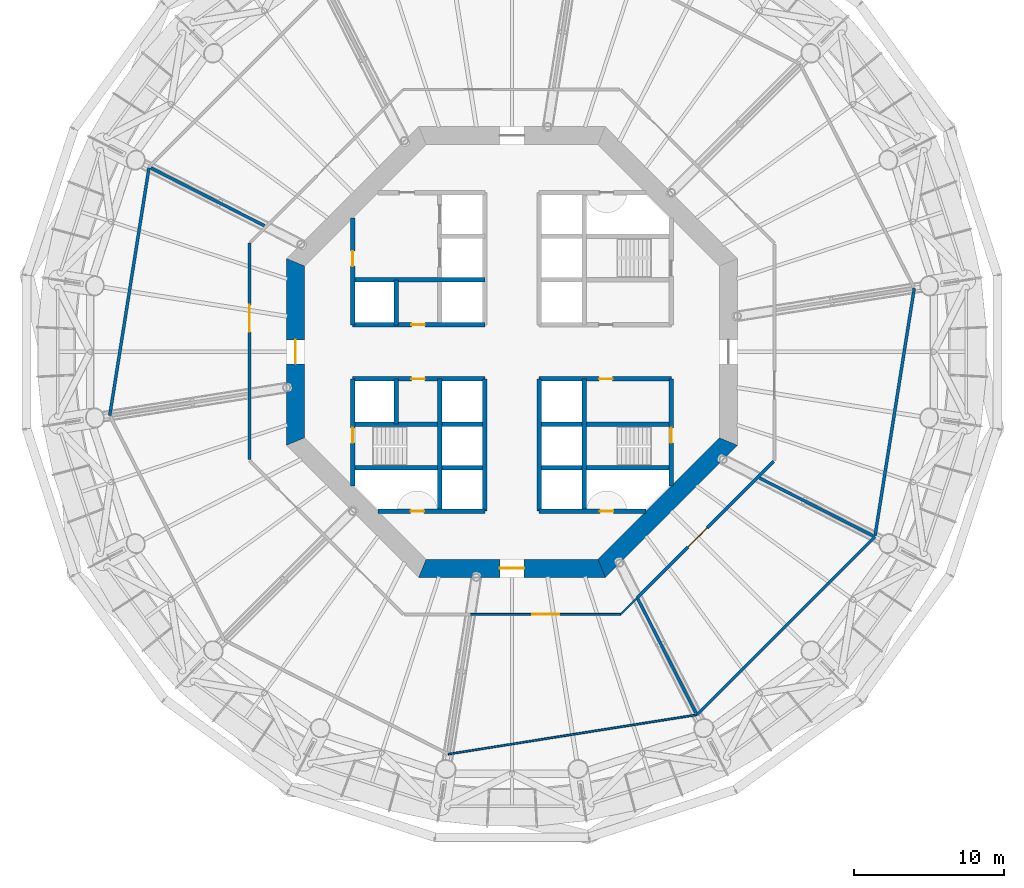
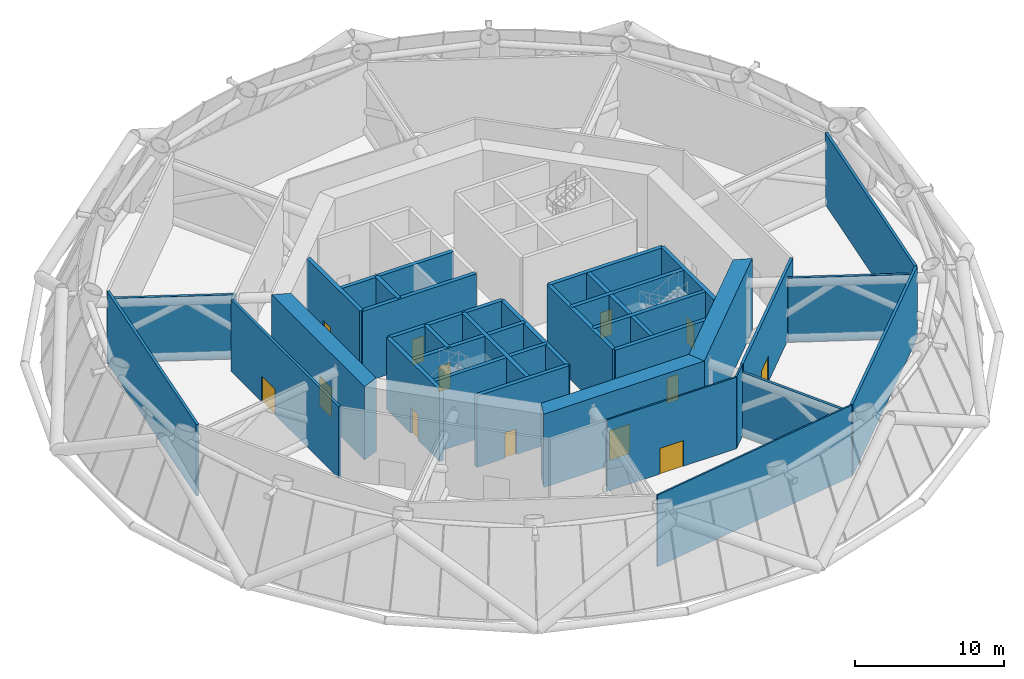
# One storey, part 8 of 18: 33 walls, 13 doors, 13 openings.
"""IFC4 building model written with IfcOpenShell, lengths in metres."""

from ifc_helpers import new_model, si_unit, direction, frame, frame_2d, origin, place, context, subcontext, project, spatial, polyline, rectangle, outline, extrude, material, layer, layer_set, type_object, element, fill, save


model = new_model("IFC4")

# Units and contexts
model_context = context("Model", 3, precision=1e-05, world=origin(), true_north=direction((0.0, 1.0)))
body_context = subcontext(model_context, "Body", "Model", "MODEL_VIEW")
ifc_project = project(units=[si_unit("LENGTHUNIT", "METRE"), si_unit("AREAUNIT", "SQUARE_METRE"), si_unit("VOLUMEUNIT", "CUBIC_METRE"), si_unit("PLANEANGLEUNIT", "RADIAN"), si_unit("MASSUNIT", "GRAM", prefix="KILO")], contexts=[model_context])

# Site, building, storey
site_placement = place(None, origin())
site = spatial("IfcSite", under=ifc_project, at=site_placement, CompositionType="ELEMENT")
building_placement = place(site_placement, origin())
building = spatial("IfcBuilding", under=site, at=building_placement, Name="Entoto Ring Tower", CompositionType="ELEMENT")
storey_placement = place(building_placement, frame((0.0, 0.0, 138.0)))
storey = spatial("IfcBuildingStorey", under=building, at=storey_placement, Name="L31", CompositionType="ELEMENT", Elevation=138.0)

# Wall, opening, door
ifc_material_1 = material(Name="Concrete C40/50", Category="concrete")
ifc_layer_1 = layer(ifc_material_1, 0.300048828125)
ifc_layer_set_1 = layer_set([ifc_layer_1], Name="Concrete C40/50")
wall_type_1 = type_object("IfcWallType", Name="Core enclosure wall 300 mm reinforced concrete", PredefinedType="SOLIDWALL", material=ifc_layer_set_1)
wall_1_placement = place(storey_placement, frame((100.60009765625, 71.083984375, 0.0), z_axis=(0.0, 0.0, 1.0), x_axis=(0.0, 1.0, 0.0)))
wall_1 = element("IfcWall", 1, at=wall_1_placement, inside=storey, type_object=wall_type_1, Name="wall-L31-001", PredefinedType="SOLIDWALL", context=body_context, shape_type="SweptSolid", body=[
    extrude(rectangle(XDim=7.115966796875, YDim=0.300048828125, at=frame_2d((3.55810546875, 0.0))), origin(), (0.0, 0.0, 1.0), 5.85009765625),
])
opening_1_placement = place(wall_1_placement, frame((2.8662109375, 0.0, 0.0)))
opening_1 = element("IfcOpeningElement", 2, at=opening_1_placement, cuts=wall_1, Name="Opening K-43", PredefinedType="OPENING", context=body_context, shape_type="SweptSolid", body=[
    extrude(rectangle(XDim=1.0, YDim=2.10009765625, at=frame_2d((0.5, 1.050048828125))), frame((0.0, 0.16015625, 0.0), z_axis=(0.0, -1.0, 0.0), x_axis=(1.0, 0.0, 0.0)), (0.0, 0.0, 1.0), 0.320068359375),
])
ifc_material_2 = material(Name="Steel door leaf, fire rated", Category="steel")
ifc_layer_2 = layer(ifc_material_2, 0.050048828125)
ifc_layer_set_2 = layer_set([ifc_layer_2], Name="Steel door leaf, fire rated")
door_type_1 = type_object("IfcDoorType", Name="Fire door FD60 1000 x 2100 single leaf", OperationType="NOTDEFINED", PredefinedType="DOOR", material=ifc_layer_set_2)
door_1_placement = place(opening_1_placement, origin())
door_1 = element("IfcDoor", 3, at=door_1_placement, inside=storey, type_object=door_type_1, Name="Door K-43", OperationType="SINGLE_SWING_RIGHT", OverallHeight=2.10009765625, OverallWidth=1.0, PredefinedType="DOOR", context=body_context, shape_type="SweptSolid", body=[
    extrude(rectangle(XDim=1.0, YDim=2.10009765625, at=frame_2d((0.5, 1.050048828125))), frame((0.0, 0.02490234375, 0.0), z_axis=(0.0, -1.0, 0.0), x_axis=(1.0, 0.0, 0.0)), (0.0, 0.0, 1.0), 0.050048828125),
])
fill(opening_1, door_1)

# Walls
for number, where, z_axis, x_axis, name in (
    (4, (94.800048828125, 69.39990234375, 0.0), (0.0, 0.0, 1.0), (0.0, 1.0, 0.0), "wall-L31-003"),
    (5, (91.800048828125, 69.39990234375, 0.0), (0.0, 0.0, 1.0), (0.0, 1.0, 0.0), "wall-L31-005"),
    (6, (88.199951171875, 69.39990234375, 0.0), (0.0, 0.0, 1.0), (0.0, 1.0, 0.0), "wall-L31-007"),
    (7, (85.199951171875, 69.39990234375, 0.0), (0.0, 0.0, 1.0), (0.0, 1.0, 0.0), "wall-L31-009"),
):
    element("IfcWall", number, at=place(storey_placement, frame(where, z_axis=z_axis, x_axis=x_axis)), inside=storey, type_object=wall_type_1, Name=name, PredefinedType="SOLIDWALL", context=body_context, shape_type="SweptSolid", body=[
        extrude(rectangle(XDim=8.800048828125, YDim=0.300048828125, at=frame_2d((4.39990234375, 0.0))), origin(), (0.0, 0.0, 1.0), 5.85009765625),
    ])
for number, where, z_axis, x_axis, name in (
    (8, (82.300048828125, 75.199951171875, 0.0), (0.0, 0.0, 1.0), (0.0, 1.0, 0.0), "wall-L31-011"),
    (9, (82.300048828125, 81.800048828125, 0.0), (0.0, 0.0, 1.0), (0.0, 1.0, 0.0), "wall-L31-012"),
):
    element("IfcWall", number, at=place(storey_placement, frame(where, z_axis=z_axis, x_axis=x_axis)), inside=storey, type_object=wall_type_1, Name=name, PredefinedType="SOLIDWALL", context=body_context, shape_type="SweptSolid", body=[
        extrude(rectangle(XDim=3.0, YDim=0.300048828125, at=frame_2d((1.5, 0.0))), origin(), (0.0, 0.0, 1.0), 5.85009765625),
    ])

# Wall, opening, door
wall_2_placement = place(storey_placement, frame((79.39990234375, 71.083984375, 0.0), z_axis=(0.0, 0.0, 1.0), x_axis=(0.0, 1.0, 0.0)))
wall_2 = element("IfcWall", 10, at=wall_2_placement, inside=storey, type_object=wall_type_1, Name="wall-L31-013", PredefinedType="SOLIDWALL", context=body_context, shape_type="SweptSolid", body=[
    extrude(rectangle(XDim=7.115966796875, YDim=0.300048828125, at=frame_2d((3.55810546875, 0.0))), origin(), (0.0, 0.0, 1.0), 5.85009765625),
])
opening_2_placement = place(wall_2_placement, frame((2.8662109375, 0.0, 0.0)))
opening_2 = element("IfcOpeningElement", 11, at=opening_2_placement, cuts=wall_2, Name="Opening K-42", PredefinedType="OPENING", context=body_context, shape_type="SweptSolid", body=[
    extrude(rectangle(XDim=1.0, YDim=2.10009765625, at=frame_2d((0.5, 1.050048828125))), frame((0.0, 0.16015625, 0.0), z_axis=(0.0, -1.0, 0.0), x_axis=(1.0, 0.0, 0.0)), (0.0, 0.0, 1.0), 0.320068359375),
])
door_2_placement = place(opening_2_placement, frame((1.0, 0.0, 0.0), z_axis=(0.0, 0.0, 1.0), x_axis=(-1.0, 0.0, 0.0)))
door_2 = element("IfcDoor", 12, at=door_2_placement, inside=storey, type_object=door_type_1, Name="Door K-42", OperationType="SINGLE_SWING_LEFT", OverallHeight=2.10009765625, OverallWidth=1.0, PredefinedType="DOOR", context=body_context, shape_type="SweptSolid", body=[
    extrude(rectangle(XDim=1.0, YDim=2.10009765625, at=frame_2d((0.5, 1.050048828125))), frame((0.0, 0.02490234375, 0.0), z_axis=(0.0, -1.0, 0.0), x_axis=(1.0, 0.0, 0.0)), (0.0, 0.0, 1.0), 0.050048828125),
])
fill(opening_2, door_2)

wall_3_placement = place(storey_placement, frame((79.39990234375, 81.800048828125, 0.0), z_axis=(0.0, 0.0, 1.0), x_axis=(0.0, 1.0, 0.0)))
wall_3 = element("IfcWall", 13, at=wall_3_placement, inside=storey, type_object=wall_type_1, Name="wall-L31-014", PredefinedType="SOLIDWALL", context=body_context, shape_type="SweptSolid", body=[
    extrude(rectangle(XDim=7.115966796875, YDim=0.300048828125, at=frame_2d((3.55810546875, 0.0))), origin(), (0.0, 0.0, 1.0), 5.85009765625),
])
opening_3_placement = place(wall_3_placement, frame((3.89990234375, 0.0, 0.0)))
opening_3 = element("IfcOpeningElement", 14, at=opening_3_placement, cuts=wall_3, Name="Opening K-52", PredefinedType="OPENING", context=body_context, shape_type="SweptSolid", body=[
    extrude(rectangle(XDim=1.0, YDim=2.10009765625, at=frame_2d((0.5, 1.050048828125))), frame((0.0, 0.16015625, 0.0), z_axis=(0.0, -1.0, 0.0), x_axis=(1.0, 0.0, 0.0)), (0.0, 0.0, 1.0), 0.320068359375),
])
door_3_placement = place(opening_3_placement, frame((1.0, 0.0, 0.0), z_axis=(0.0, 0.0, 1.0), x_axis=(-1.0, 0.0, 0.0)))
door_3 = element("IfcDoor", 15, at=door_3_placement, inside=storey, type_object=door_type_1, Name="Door K-52", OperationType="SINGLE_SWING_LEFT", OverallHeight=2.10009765625, OverallWidth=1.0, PredefinedType="DOOR", context=body_context, shape_type="SweptSolid", body=[
    extrude(rectangle(XDim=1.0, YDim=2.10009765625, at=frame_2d((0.5, 1.050048828125))), frame((0.0, 0.02490234375, 0.0), z_axis=(0.0, -1.0, 0.0), x_axis=(1.0, 0.0, 0.0)), (0.0, 0.0, 1.0), 0.050048828125),
])
fill(opening_3, door_3)

wall_4_placement = place(storey_placement, frame((81.083984375, 69.39990234375, 0.0), z_axis=(0.0, 0.0, 1.0), x_axis=(1.0, 0.0, 0.0)))
wall_4 = element("IfcWall", 16, at=wall_4_placement, inside=storey, type_object=wall_type_1, Name="wall-L31-015", PredefinedType="SOLIDWALL", context=body_context, shape_type="SweptSolid", body=[
    extrude(rectangle(XDim=7.115966796875, YDim=0.300048828125, at=frame_2d((3.55810546875, 0.0))), origin(), (0.0, 0.0, 1.0), 5.85009765625),
])
opening_4_placement = place(wall_4_placement, frame((2.166015625, 0.0, 0.0)))
opening_4 = element("IfcOpeningElement", 17, at=opening_4_placement, cuts=wall_4, Name="Opening K-48", PredefinedType="OPENING", context=body_context, shape_type="SweptSolid", body=[
    extrude(rectangle(XDim=0.89990234375, YDim=2.10009765625, at=frame_2d((0.449951171875, 1.050048828125))), frame((0.0, 0.16015625, 0.0), z_axis=(0.0, -1.0, 0.0), x_axis=(1.0, 0.0, 0.0)), (0.0, 0.0, 1.0), 0.320068359375),
])
ifc_material_3 = material(Name="Steel door leaf, fire rated", Category="steel")
ifc_layer_3 = layer(ifc_material_3, 0.050048828125)
ifc_layer_set_3 = layer_set([ifc_layer_3], Name="Steel door leaf, fire rated")
door_type_2 = type_object("IfcDoorType", Name="Riser door FD60 900 x 2100 single leaf", OperationType="NOTDEFINED", PredefinedType="DOOR", material=ifc_layer_set_3)
door_4_placement = place(opening_4_placement, origin())
door_4 = element("IfcDoor", 18, at=door_4_placement, inside=storey, type_object=door_type_2, Name="Door K-48", OperationType="SINGLE_SWING_RIGHT", OverallHeight=2.10009765625, OverallWidth=0.89990234375, PredefinedType="DOOR", context=body_context, shape_type="SweptSolid", body=[
    extrude(rectangle(XDim=0.89990234375, YDim=2.10009765625, at=frame_2d((0.449951171875, 1.050048828125))), frame((0.0, 0.02490234375, 0.0), z_axis=(0.0, -1.0, 0.0), x_axis=(1.0, 0.0, 0.0)), (0.0, 0.0, 1.0), 0.050048828125),
])
fill(opening_4, door_4)

wall_5_placement = place(storey_placement, frame((91.800048828125, 69.39990234375, 0.0), z_axis=(0.0, 0.0, 1.0), x_axis=(1.0, 0.0, 0.0)))
wall_5 = element("IfcWall", 19, at=wall_5_placement, inside=storey, type_object=wall_type_1, Name="wall-L31-016", PredefinedType="SOLIDWALL", context=body_context, shape_type="SweptSolid", body=[
    extrude(rectangle(XDim=7.115966796875, YDim=0.300048828125, at=frame_2d((3.55810546875, 0.0))), origin(), (0.0, 0.0, 1.0), 5.85009765625),
])
opening_5_placement = place(wall_5_placement, frame((4.050048828125, 0.0, 0.0)))
opening_5 = element("IfcOpeningElement", 20, at=opening_5_placement, cuts=wall_5, Name="Opening K-49", PredefinedType="OPENING", context=body_context, shape_type="SweptSolid", body=[
    extrude(rectangle(XDim=0.89990234375, YDim=2.10009765625, at=frame_2d((0.449951171875, 1.050048828125))), frame((0.0, 0.16015625, 0.0), z_axis=(0.0, -1.0, 0.0), x_axis=(1.0, 0.0, 0.0)), (0.0, 0.0, 1.0), 0.320068359375),
])
door_5_placement = place(opening_5_placement, origin())
door_5 = element("IfcDoor", 21, at=door_5_placement, inside=storey, type_object=door_type_2, Name="Door K-49", OperationType="SINGLE_SWING_LEFT", OverallHeight=2.10009765625, OverallWidth=0.89990234375, PredefinedType="DOOR", context=body_context, shape_type="SweptSolid", body=[
    extrude(rectangle(XDim=0.89990234375, YDim=2.10009765625, at=frame_2d((0.449951171875, 1.050048828125))), frame((0.0, 0.02490234375, 0.0), z_axis=(0.0, -1.0, 0.0), x_axis=(1.0, 0.0, 0.0)), (0.0, 0.0, 1.0), 0.050048828125),
])
fill(opening_5, door_5)

# Walls
for number, where, z_axis, x_axis, name in (
    (22, (79.39990234375, 72.300048828125, 0.0), (0.0, 0.0, 1.0), (1.0, 0.0, 0.0), "wall-L31-017"),
    (23, (91.800048828125, 72.300048828125, 0.0), (0.0, 0.0, 1.0), (1.0, 0.0, 0.0), "wall-L31-018"),
    (24, (79.39990234375, 75.199951171875, 0.0), (0.0, 0.0, 1.0), (1.0, 0.0, 0.0), "wall-L31-019"),
    (25, (91.800048828125, 75.199951171875, 0.0), (0.0, 0.0, 1.0), (1.0, 0.0, 0.0), "wall-L31-020"),
):
    element("IfcWall", number, at=place(storey_placement, frame(where, z_axis=z_axis, x_axis=x_axis)), inside=storey, type_object=wall_type_1, Name=name, PredefinedType="SOLIDWALL", context=body_context, shape_type="SweptSolid", body=[
        extrude(rectangle(XDim=8.800048828125, YDim=0.300048828125, at=frame_2d((4.39990234375, 0.0))), origin(), (0.0, 0.0, 1.0), 5.85009765625),
    ])

# Wall, opening, door
wall_6_placement = place(storey_placement, frame((79.39990234375, 78.199951171875, 0.0), z_axis=(0.0, 0.0, 1.0), x_axis=(1.0, 0.0, 0.0)))
wall_6 = element("IfcWall", 26, at=wall_6_placement, inside=storey, type_object=wall_type_1, Name="wall-L31-021", PredefinedType="SOLIDWALL", context=body_context, shape_type="SweptSolid", body=[
    extrude(rectangle(XDim=8.800048828125, YDim=0.300048828125, at=frame_2d((4.39990234375, 0.0))), origin(), (0.0, 0.0, 1.0), 5.85009765625),
])
opening_6_placement = place(wall_6_placement, frame((3.89990234375, 0.0, 0.0)))
opening_6 = element("IfcOpeningElement", 27, at=opening_6_placement, cuts=wall_6, Name="Opening K-08", PredefinedType="OPENING", context=body_context, shape_type="SweptSolid", body=[
    extrude(rectangle(XDim=0.89990234375, YDim=2.10009765625, at=frame_2d((0.449951171875, 1.050048828125))), frame((0.0, 0.16015625, 0.0), z_axis=(0.0, -1.0, 0.0), x_axis=(1.0, 0.0, 0.0)), (0.0, 0.0, 1.0), 0.320068359375),
])
ifc_material_4 = material(Name="Steel door leaf, fire rated", Category="steel")
ifc_layer_4 = layer(ifc_material_4, 0.050048828125)
ifc_layer_set_4 = layer_set([ifc_layer_4], Name="Steel door leaf, fire rated")
door_type_3 = type_object("IfcDoorType", Name="Core door 900 x 2100 single leaf", OperationType="NOTDEFINED", PredefinedType="DOOR", material=ifc_layer_set_4)
door_6_placement = place(opening_6_placement, frame((0.89990234375, 0.0, 0.0), z_axis=(0.0, 0.0, 1.0), x_axis=(-1.0, 0.0, 0.0)))
door_6 = element("IfcDoor", 28, at=door_6_placement, inside=storey, type_object=door_type_3, Name="Door K-08", OperationType="SINGLE_SWING_LEFT", OverallHeight=2.10009765625, OverallWidth=0.89990234375, PredefinedType="DOOR", context=body_context, shape_type="SweptSolid", body=[
    extrude(rectangle(XDim=0.89990234375, YDim=2.10009765625, at=frame_2d((0.449951171875, 1.050048828125))), frame((0.0, 0.02490234375, 0.0), z_axis=(0.0, -1.0, 0.0), x_axis=(1.0, 0.0, 0.0)), (0.0, 0.0, 1.0), 0.050048828125),
])
fill(opening_6, door_6)

wall_7_placement = place(storey_placement, frame((91.800048828125, 78.199951171875, 0.0), z_axis=(0.0, 0.0, 1.0), x_axis=(1.0, 0.0, 0.0)))
wall_7 = element("IfcWall", 29, at=wall_7_placement, inside=storey, type_object=wall_type_1, Name="wall-L31-022", PredefinedType="SOLIDWALL", context=body_context, shape_type="SweptSolid", body=[
    extrude(rectangle(XDim=8.800048828125, YDim=0.300048828125, at=frame_2d((4.39990234375, 0.0))), origin(), (0.0, 0.0, 1.0), 5.85009765625),
])
opening_7_placement = place(wall_7_placement, frame((4.0, 0.0, 0.0)))
opening_7 = element("IfcOpeningElement", 30, at=opening_7_placement, cuts=wall_7, Name="Opening K-06", PredefinedType="OPENING", context=body_context, shape_type="SweptSolid", body=[
    extrude(rectangle(XDim=0.89990234375, YDim=2.10009765625, at=frame_2d((0.449951171875, 1.050048828125))), frame((0.0, 0.16015625, 0.0), z_axis=(0.0, -1.0, 0.0), x_axis=(1.0, 0.0, 0.0)), (0.0, 0.0, 1.0), 0.320068359375),
])
door_7_placement = place(opening_7_placement, frame((0.89990234375, 0.0, 0.0), z_axis=(0.0, 0.0, 1.0), x_axis=(-1.0, 0.0, 0.0)))
door_7 = element("IfcDoor", 31, at=door_7_placement, inside=storey, type_object=door_type_3, Name="Door K-06", OperationType="SINGLE_SWING_RIGHT", OverallHeight=2.10009765625, OverallWidth=0.89990234375, PredefinedType="DOOR", context=body_context, shape_type="SweptSolid", body=[
    extrude(rectangle(XDim=0.89990234375, YDim=2.10009765625, at=frame_2d((0.449951171875, 1.050048828125))), frame((0.0, 0.02490234375, 0.0), z_axis=(0.0, -1.0, 0.0), x_axis=(1.0, 0.0, 0.0)), (0.0, 0.0, 1.0), 0.050048828125),
])
fill(opening_7, door_7)

wall_8_placement = place(storey_placement, frame((79.39990234375, 81.800048828125, 0.0), z_axis=(0.0, 0.0, 1.0), x_axis=(1.0, 0.0, 0.0)))
wall_8 = element("IfcWall", 32, at=wall_8_placement, inside=storey, type_object=wall_type_1, Name="wall-L31-023", PredefinedType="SOLIDWALL", context=body_context, shape_type="SweptSolid", body=[
    extrude(rectangle(XDim=8.800048828125, YDim=0.300048828125, at=frame_2d((4.39990234375, 0.0))), origin(), (0.0, 0.0, 1.0), 5.85009765625),
])
opening_8_placement = place(wall_8_placement, frame((3.89990234375, 0.0, 0.0)))
opening_8 = element("IfcOpeningElement", 33, at=opening_8_placement, cuts=wall_8, Name="Opening K-07", PredefinedType="OPENING", context=body_context, shape_type="SweptSolid", body=[
    extrude(rectangle(XDim=0.89990234375, YDim=2.10009765625, at=frame_2d((0.449951171875, 1.050048828125))), frame((0.0, 0.16015625, 0.0), z_axis=(0.0, -1.0, 0.0), x_axis=(1.0, 0.0, 0.0)), (0.0, 0.0, 1.0), 0.320068359375),
])
door_8_placement = place(opening_8_placement, frame((0.89990234375, 0.0, 0.0), z_axis=(0.0, 0.0, 1.0), x_axis=(-1.0, 0.0, 0.0)))
door_8 = element("IfcDoor", 34, at=door_8_placement, inside=storey, type_object=door_type_3, Name="Door K-07", OperationType="SINGLE_SWING_RIGHT", OverallHeight=2.10009765625, OverallWidth=0.89990234375, PredefinedType="DOOR", context=body_context, shape_type="SweptSolid", body=[
    extrude(rectangle(XDim=0.89990234375, YDim=2.10009765625, at=frame_2d((0.449951171875, 1.050048828125))), frame((0.0, 0.02490234375, 0.0), z_axis=(0.0, -1.0, 0.0), x_axis=(1.0, 0.0, 0.0)), (0.0, 0.0, 1.0), 0.050048828125),
])
fill(opening_8, door_8)

# Wall
wall_9_placement = place(storey_placement, frame((79.39990234375, 84.800048828125, 0.0), z_axis=(0.0, 0.0, 1.0), x_axis=(1.0, 0.0, 0.0)))
element("IfcWall", 35, at=wall_9_placement, inside=storey, type_object=wall_type_1, Name="wall-L31-025", PredefinedType="SOLIDWALL", context=body_context, shape_type="SweptSolid", body=[
    extrude(rectangle(XDim=8.800048828125, YDim=0.300048828125, at=frame_2d((4.39990234375, 0.0))), origin(), (0.0, 0.0, 1.0), 5.85009765625),
])

# Wall, opening, door
ifc_material_5 = material(Name="Concrete C60/75", Category="concrete")
ifc_layer_5 = layer(ifc_material_5, 1.199951171875)
ifc_layer_set_5 = layer_set([ifc_layer_5], Name="Concrete C60/75")
wall_type_2 = type_object("IfcWallType", Name="Core shear wall 1200 mm reinforced concrete C60/75", PredefinedType="SHEAR", material=ifc_layer_set_5)
wall_10_placement = place(storey_placement, frame((75.60009765625, 85.964599609375, 0.0), z_axis=(0.0, 0.0, 1.0), x_axis=(0.0, -1.0, 0.0)))
wall_10 = element("IfcWall", 36, at=wall_10_placement, inside=storey, type_object=wall_type_2, Name="wall-L31-core-4", PredefinedType="SHEAR", context=body_context, shape_type="SweptSolid", body=[
    extrude(outline(polyline([(-0.24853515625, -0.60009765625), (12.177734375, -0.60009765625), (11.6806640625, 0.60009765625), (0.24853515625, 0.60009765625), (-0.24853515625, -0.60009765625)])), origin(), (0.0, 0.0, 1.0), 6.0),
])
opening_9_placement = place(wall_10_placement, frame((5.164794921875, 0.0, 0.0)))
opening_9 = element("IfcOpeningElement", 37, at=opening_9_placement, cuts=wall_10, Name="Opening K-03", PredefinedType="OPENING", context=body_context, shape_type="SweptSolid", body=[
    extrude(rectangle(XDim=1.60009765625, YDim=2.39990234375, at=frame_2d((0.800048828125, 1.199951171875))), frame((0.0, 0.60986328125, 0.0), z_axis=(0.0, -1.0, 0.0), x_axis=(1.0, 0.0, 0.0)), (0.0, 0.0, 1.0), 1.219970703125),
])
ifc_material_6 = material(Name="Steel door leaf, fire rated", Category="steel")
ifc_layer_6 = layer(ifc_material_6, 0.050048828125)
ifc_layer_set_6 = layer_set([ifc_layer_6], Name="Steel door leaf, fire rated")
door_type_4 = type_object("IfcDoorType", Name="Entrance door FD60 1600 x 2400 double leaf", OperationType="DOUBLE_DOOR_SINGLE_SWING", PredefinedType="DOOR", material=ifc_layer_set_6)
door_9_placement = place(opening_9_placement, origin())
door_9 = element("IfcDoor", 38, at=door_9_placement, inside=storey, type_object=door_type_4, Name="Entrance door K-03", OperationType="DOUBLE_DOOR_SINGLE_SWING", OverallHeight=2.39990234375, OverallWidth=1.60009765625, PredefinedType="DOOR", context=body_context, shape_type="SweptSolid", body=[
    extrude(rectangle(XDim=1.60009765625, YDim=2.39990234375, at=frame_2d((0.800048828125, 1.199951171875))), frame((0.0, 0.02490234375, 0.0), z_axis=(0.0, -1.0, 0.0), x_axis=(1.0, 0.0, 0.0)), (0.0, 0.0, 1.0), 0.050048828125),
])
fill(opening_9, door_9)

wall_11_placement = place(storey_placement, frame((84.035400390625, 65.60009765625, 0.0), z_axis=(0.0, 0.0, 1.0), x_axis=(1.0, 0.0, 0.0)))
wall_11 = element("IfcWall", 39, at=wall_11_placement, inside=storey, type_object=wall_type_2, Name="wall-L31-core-6", PredefinedType="SHEAR", context=body_context, shape_type="SweptSolid", body=[
    extrude(outline(polyline([(-0.24853515625, -0.60009765625), (12.177734375, -0.60009765625), (11.6806640625, 0.60009765625), (0.24853515625, 0.60009765625), (-0.24853515625, -0.60009765625)])), origin(), (0.0, 0.0, 1.0), 6.0),
])
opening_10_placement = place(wall_11_placement, frame((5.164794921875, 0.0, 0.0)))
opening_10 = element("IfcOpeningElement", 40, at=opening_10_placement, cuts=wall_11, Name="Opening K-04", PredefinedType="OPENING", context=body_context, shape_type="SweptSolid", body=[
    extrude(rectangle(XDim=1.60009765625, YDim=2.39990234375, at=frame_2d((0.800048828125, 1.199951171875))), frame((0.0, 0.60986328125, 0.0), z_axis=(0.0, -1.0, 0.0), x_axis=(1.0, 0.0, 0.0)), (0.0, 0.0, 1.0), 1.219970703125),
])
door_10_placement = place(opening_10_placement, origin())
door_10 = element("IfcDoor", 41, at=door_10_placement, inside=storey, type_object=door_type_4, Name="Entrance door K-04", OperationType="DOUBLE_DOOR_SINGLE_SWING", OverallHeight=2.39990234375, OverallWidth=1.60009765625, PredefinedType="DOOR", context=body_context, shape_type="SweptSolid", body=[
    extrude(rectangle(XDim=1.60009765625, YDim=2.39990234375, at=frame_2d((0.800048828125, 1.199951171875))), frame((0.0, 0.02490234375, 0.0), z_axis=(0.0, -1.0, 0.0), x_axis=(1.0, 0.0, 0.0)), (0.0, 0.0, 1.0), 0.050048828125),
])
fill(opening_10, door_10)

# Walls
wall_12_placement = place(storey_placement, frame((95.964599609375, 65.60009765625, 0.0), z_axis=(0.0, 0.0, 1.0), x_axis=(0.707106781187, 0.707106781187, 0.0)))
element("IfcWall", 42, at=wall_12_placement, inside=storey, type_object=wall_type_2, Name="wall-L31-core-7", PredefinedType="SHEAR", context=body_context, shape_type="SweptSolid", body=[
    extrude(outline(polyline([(-0.24853515625, -0.60009765625), (12.177734375, -0.60009765625), (11.6806640625, 0.60009765625), (0.24853515625, 0.60009765625), (-0.24853515625, -0.60009765625)])), origin(), (0.0, 0.0, 1.0), 6.0),
])
ifc_material_7 = material(Name="Fire-resisting plasterboard on steel studs", Category="steel")
ifc_layer_7 = layer(ifc_material_7, 0.125)
ifc_layer_set_7 = layer_set([ifc_layer_7], Name="Fire-resisting plasterboard on steel studs")
wall_type_3 = type_object("IfcWallType", Name="Corridor wall 125 mm one-hour plasterboard on steel studs", PredefinedType="PARTITIONING", material=ifc_layer_set_7)
wall_13_placement = place(storey_placement, frame((85.7607421875, 53.233642578125, 0.0), z_axis=(0.0, 0.0, 1.0), x_axis=(0.98768756248, 0.156439377784, 0.0)))
element("IfcWall", 43, at=wall_13_placement, inside=storey, type_object=wall_type_3, Name="partition-L31-002", PredefinedType="PARTITIONING", context=body_context, shape_type="SweptSolid", body=[
    extrude(rectangle(XDim=16.74853515625, YDim=0.125, at=frame_2d((8.374267578125, 0.0))), origin(), (0.0, 0.0, 1.0), 5.85009765625),
])

# Wall, opening, door
wall_14_placement = place(storey_placement, frame((87.234130859375, 62.53759765625, 0.0), z_axis=(0.0, 0.0, 1.0), x_axis=(1.0, 0.0, 0.0)))
wall_14 = element("IfcWall", 44, at=wall_14_placement, inside=storey, type_object=wall_type_3, Name="partition-L31-004", PredefinedType="PARTITIONING", context=body_context, shape_type="SweptSolid", body=[
    extrude(rectangle(XDim=9.9990234375, YDim=0.125, at=frame_2d((4.99951171875, 0.0))), origin(), (0.0, 0.0, 1.0), 5.85009765625),
])
opening_11_placement = place(wall_14_placement, frame((4.099365234375, 0.0, 0.0)))
opening_11 = element("IfcOpeningElement", 45, at=opening_11_placement, cuts=wall_14, Name="Opening A14-D08", PredefinedType="OPENING", context=body_context, shape_type="SweptSolid", body=[
    extrude(rectangle(XDim=1.800048828125, YDim=2.10009765625, at=frame_2d((0.89990234375, 1.050048828125))), frame((0.0, 0.072509765625, 0.0), z_axis=(0.0, -1.0, 0.0), x_axis=(1.0, 0.0, 0.0)), (0.0, 0.0, 1.0), 0.14501953125),
])
ifc_material_8 = material(Name="Fire-resisting timber door set", Category="wood")
door_type_5 = type_object("IfcDoorType", Name="Door 1800 x 2100 double leaf FD30S fire door", OperationType="DOUBLE_DOOR_SINGLE_SWING", PredefinedType="DOOR", material=ifc_material_8)
door_11_placement = place(opening_11_placement, frame((1.800048828125, 0.0, 0.0), z_axis=(0.0, 0.0, 1.0), x_axis=(-1.0, 0.0, 0.0)))
door_11 = element("IfcDoor", 46, at=door_11_placement, inside=storey, type_object=door_type_5, Name="Door A14-D08", OperationType="DOUBLE_DOOR_SINGLE_SWING", OverallHeight=2.10009765625, OverallWidth=1.800048828125, PredefinedType="DOOR", context=body_context, shape_type="SweptSolid", body=[
    extrude(rectangle(XDim=1.800048828125, YDim=2.10009765625, at=frame_2d((0.89990234375, 1.050048828125))), frame((0.0, 0.02490234375, 0.0), z_axis=(0.0, -1.0, 0.0), x_axis=(1.0, 0.0, 0.0)), (0.0, 0.0, 1.0), 0.050048828125),
])
fill(opening_11, door_11)

# Walls
wall_15_placement = place(storey_placement, frame((97.264404296875, 62.568603515625, 0.0), z_axis=(0.0, 0.0, 1.0), x_axis=(0.70702621299, 0.707187340204, 0.0)))
element("IfcWall", 47, at=wall_15_placement, inside=storey, type_object=wall_type_3, Name="partition-L31-006", PredefinedType="PARTITIONING", context=body_context, shape_type="SweptSolid", body=[
    extrude(rectangle(XDim=1.51513671875, YDim=0.125, at=frame_2d((0.757568359375, 0.0))), origin(), (0.0, 0.0, 1.0), 5.85009765625),
])
ifc_material_9 = material(Name="Concrete C20/25", Category="concrete")
ifc_layer_8 = layer(ifc_material_9, 0.199951171875)
ifc_layer_set_8 = layer_set([ifc_layer_8], Name="Concrete C20/25")
wall_type_4 = type_object("IfcWallType", Name="Plant room wall 200 mm two-hour concrete", PredefinedType="PARTITIONING", material=ifc_layer_set_8)
wall_16_placement = place(storey_placement, frame((102.328857421875, 55.87939453125, 0.0), z_axis=(0.0, 0.0, 1.0), x_axis=(0.707106781187, 0.707106781187, 0.0)))
element("IfcWall", 48, at=wall_16_placement, inside=storey, type_object=wall_type_4, Name="partition-L31-008", PredefinedType="PARTITIONING", context=body_context, shape_type="SweptSolid", body=[
    extrude(rectangle(XDim=16.71240234375, YDim=0.199951171875, at=frame_2d((8.356201171875, 0.0))), origin(), (0.0, 0.0, 1.0), 5.85009765625),
])
for number, where, z_axis, x_axis, name in (
    (49, (63.233642578125, 75.7607421875, 0.0), (0.0, 0.0, 1.0), (0.156430529467, 0.987688963921, 0.0), "partition-L31-009"),
    (50, (114.155517578125, 67.754638671875, 0.0), (0.0, 0.0, 1.0), (0.156430529467, 0.987688963921, 0.0), "partition-L31-010"),
):
    element("IfcWall", number, at=place(storey_placement, frame(where, z_axis=z_axis, x_axis=x_axis)), inside=storey, type_object=wall_type_4, Name=name, PredefinedType="PARTITIONING", context=body_context, shape_type="SweptSolid", body=[
        extrude(rectangle(XDim=16.690185546875, YDim=0.199951171875, at=frame_2d((8.34521484375, 0.0))), origin(), (0.0, 0.0, 1.0), 5.85009765625),
    ])

# Wall, opening, door
wall_17_placement = place(storey_placement, frame((72.53759765625, 72.83740234375, 0.0), z_axis=(0.0, 0.0, 1.0), x_axis=(0.0, 1.0, 0.0)))
wall_17 = element("IfcWall", 51, at=wall_17_placement, inside=storey, type_object=wall_type_4, Name="partition-L31-017", PredefinedType="PARTITIONING", context=body_context, shape_type="SweptSolid", body=[
    extrude(rectangle(XDim=14.395751953125, YDim=0.199951171875, at=frame_2d((7.19775390625, 0.0))), origin(), (0.0, 0.0, 1.0), 5.85009765625),
])
opening_12_placement = place(wall_17_placement, frame((8.496337890625, 0.0, 0.0)))
opening_12 = element("IfcOpeningElement", 52, at=opening_12_placement, cuts=wall_17, Name="Opening A14-D05", PredefinedType="OPENING", context=body_context, shape_type="SweptSolid", body=[
    extrude(rectangle(XDim=1.800048828125, YDim=2.10009765625, at=frame_2d((0.89990234375, 1.050048828125))), frame((0.0, 0.10986328125, 0.0), z_axis=(0.0, -1.0, 0.0), x_axis=(1.0, 0.0, 0.0)), (0.0, 0.0, 1.0), 0.219970703125),
])
ifc_material_10 = material(Name="Fire-resisting steel door set", Category="steel")
door_type_6 = type_object("IfcDoorType", Name="Door 1800 x 2100 double leaf FD60 steel door", OperationType="DOUBLE_DOOR_SINGLE_SWING", PredefinedType="DOOR", material=ifc_material_10)
door_12_placement = place(opening_12_placement, origin())
door_12 = element("IfcDoor", 53, at=door_12_placement, inside=storey, type_object=door_type_6, Name="Door A14-D05", OperationType="DOUBLE_DOOR_SINGLE_SWING", OverallHeight=2.10009765625, OverallWidth=1.800048828125, PredefinedType="DOOR", context=body_context, shape_type="SweptSolid", body=[
    extrude(rectangle(XDim=1.800048828125, YDim=2.10009765625, at=frame_2d((0.89990234375, 1.050048828125))), frame((0.0, 0.02490234375, 0.0), z_axis=(0.0, -1.0, 0.0), x_axis=(1.0, 0.0, 0.0)), (0.0, 0.0, 1.0), 0.050048828125),
])
fill(opening_12, door_12)

wall_18_placement = place(storey_placement, frame((98.335693359375, 63.64013671875, 0.0), z_axis=(0.0, 0.0, 1.0), x_axis=(0.707116290742, 0.707097271503, 0.0)))
wall_18 = element("IfcWall", 54, at=wall_18_placement, inside=storey, type_object=wall_type_4, Name="partition-L31-020", PredefinedType="PARTITIONING", context=body_context, shape_type="SweptSolid", body=[
    extrude(rectangle(XDim=12.83642578125, YDim=0.199951171875, at=frame_2d((6.418212890625, 0.0))), origin(), (0.0, 0.0, 1.0), 5.85009765625),
])
opening_13_placement = place(wall_18_placement, frame((4.77392578125, 0.0, 0.0)))
opening_13 = element("IfcOpeningElement", 55, at=opening_13_placement, cuts=wall_18, Name="Opening A14-D09", PredefinedType="OPENING", context=body_context, shape_type="SweptSolid", body=[
    extrude(rectangle(XDim=1.800048828125, YDim=2.10009765625, at=frame_2d((0.89990234375, 1.050048828125))), frame((0.0, 0.10986328125, 0.0), z_axis=(0.0, -1.0, 0.0), x_axis=(1.0, 0.0, 0.0)), (0.0, 0.0, 1.0), 0.219970703125),
])
door_13_placement = place(opening_13_placement, frame((1.800048828125, 0.0, 0.0), z_axis=(0.0, 0.0, 1.0), x_axis=(-1.0, 0.0, 0.0)))
door_13 = element("IfcDoor", 56, at=door_13_placement, inside=storey, type_object=door_type_6, Name="Door A14-D09", OperationType="DOUBLE_DOOR_SINGLE_SWING", OverallHeight=2.10009765625, OverallWidth=1.800048828125, PredefinedType="DOOR", context=body_context, shape_type="SweptSolid", body=[
    extrude(rectangle(XDim=1.800048828125, YDim=2.10009765625, at=frame_2d((0.89990234375, 1.050048828125))), frame((0.0, 0.02490234375, 0.0), z_axis=(0.0, -1.0, 0.0), x_axis=(1.0, 0.0, 0.0)), (0.0, 0.0, 1.0), 0.050048828125),
])
fill(opening_13, door_13)

# Walls
ifc_material_11 = material(Name="Concrete C20/25", Category="concrete")
ifc_layer_9 = layer(ifc_material_11, 0.199951171875)
ifc_layer_set_9 = layer_set([ifc_layer_9], Name="Concrete C20/25")
wall_type_5 = type_object("IfcWallType", Name="Plant room wall 200 mm two-hour concrete, 5250 mm high", PredefinedType="PARTITIONING", material=ifc_layer_set_9)
wall_19_placement = place(storey_placement, frame((73.517578125, 88.398193359375, 0.0), z_axis=(0.0, 0.0, 1.0), x_axis=(-0.891003392537, 0.453996645898, 0.0)))
element("IfcWall", 57, at=wall_19_placement, inside=storey, type_object=wall_type_5, Name="partition-L31-027", PredefinedType="PARTITIONING", context=body_context, shape_type="SweptSolid", body=[
    extrude(rectangle(XDim=8.4638671875, YDim=0.199951171875, at=frame_2d((4.23193359375, 0.0))), origin(), (0.0, 0.0, 1.0), 5.25),
])
wall_20_placement = place(storey_placement, frame((102.24072265625, 55.976318359375, 0.0), z_axis=(0.0, 0.0, 1.0), x_axis=(-0.453988145713, 0.891007723621, 0.0)))
element("IfcWall", 58, at=wall_20_placement, inside=storey, type_object=wall_type_5, Name="partition-L31-029", PredefinedType="PARTITIONING", context=body_context, shape_type="SweptSolid", body=[
    extrude(rectangle(XDim=8.503173828125, YDim=0.199951171875, at=frame_2d((4.25146484375, 0.0))), origin(), (0.0, 0.0, 1.0), 5.25),
])
wall_21_placement = place(storey_placement, frame((114.023681640625, 67.75927734375, 0.0), z_axis=(0.0, 0.0, 1.0), x_axis=(-0.891003392537, 0.453996645898, 0.0)))
element("IfcWall", 59, at=wall_21_placement, inside=storey, type_object=wall_type_5, Name="partition-L31-030", PredefinedType="PARTITIONING", context=body_context, shape_type="SweptSolid", body=[
    extrude(rectangle(XDim=8.4638671875, YDim=0.199951171875, at=frame_2d((4.23193359375, 0.0))), origin(), (0.0, 0.0, 1.0), 5.25),
])

save(model, "model.ifc")
